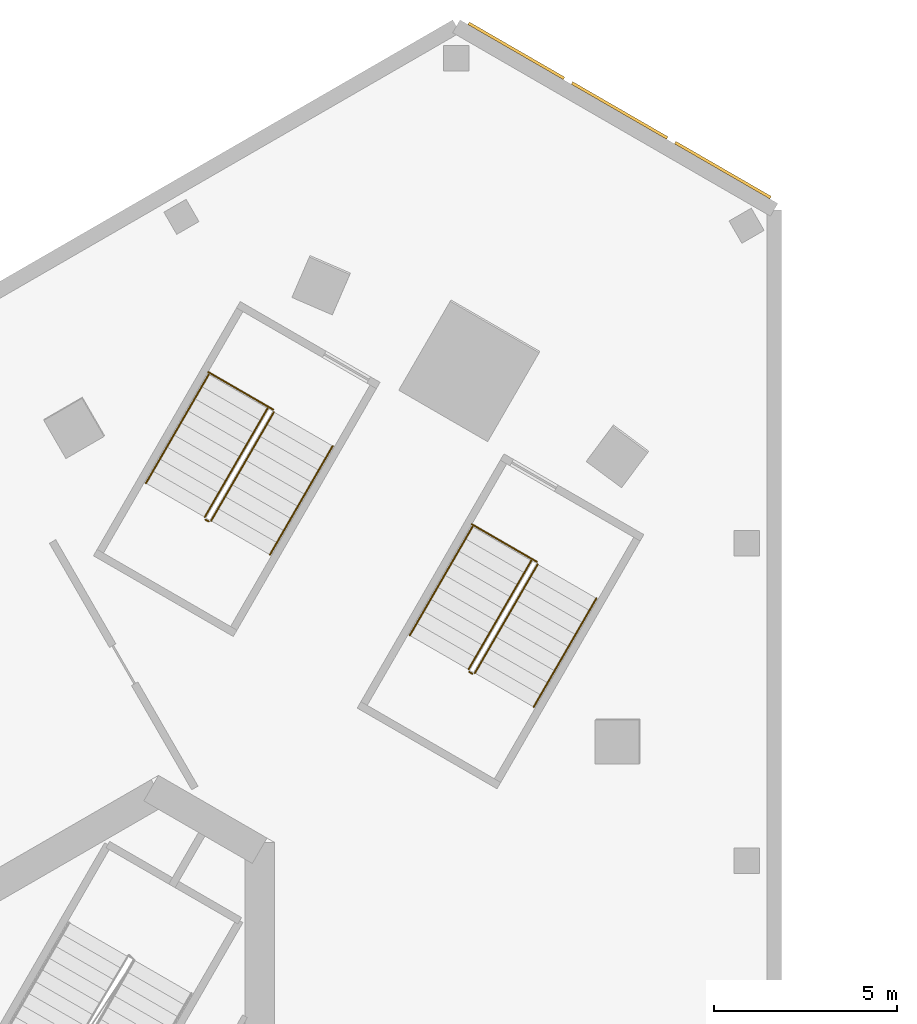
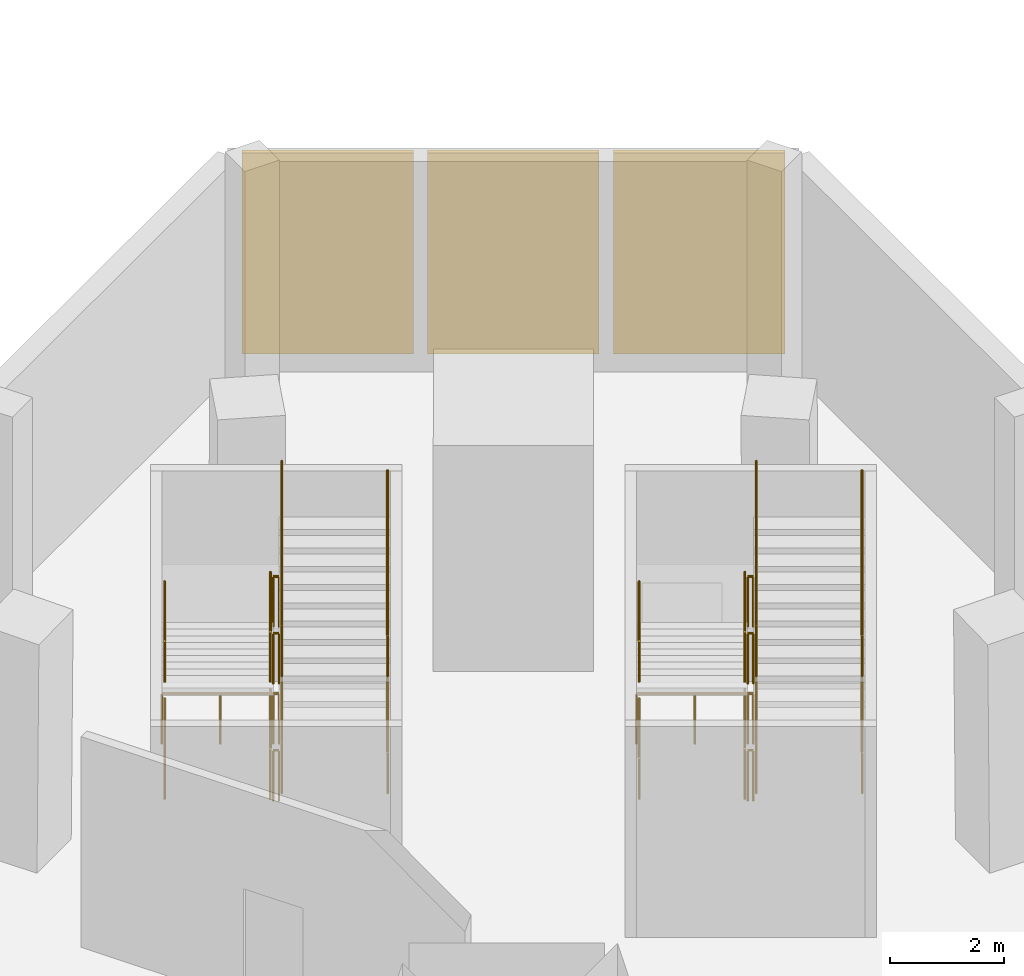
# One storey, part 27 of 36: 26 railings, 3 coverings.
"""IFC4 building model written with IfcOpenShell, lengths in metres."""

import ifcopenshell
import ifcopenshell.guid

model = None  # the IFC model being written
_history = None  # IfcOwnerHistory: only IFC2X3 demands one
_inside = {}  # id of a spatial element -> (the spatial element, [elements in it])
_under = {}  # id of a project, library or spatial element -> (it, [spatial elements below it])
_declared = {}  # id of a project -> (the project, [libraries it declares])
_typed = {}  # id of a type object -> (the type object, [elements of that type])
_made_of = {}  # id of a material, layer set ... -> (it, [elements and type objects made of it])


def new_model(schema):
    """Start an empty IFC model of exactly this schema.

    Asked for "IFC4X3", IfcOpenShell would pick the latest addendum, in which some entities
    have other attributes; the version numbers below select the first issue.
    IFC2X3 requires an IfcOwnerHistory on every rooted entity: one is made here for all.
    """
    global model, _history
    if schema == "IFC4X3":
        model = ifcopenshell.file(schema_version=(4, 3, 0, 0))
    else:
        model = ifcopenshell.file(schema=schema)
    _inside.clear()
    _under.clear()
    _declared.clear()
    _typed.clear()
    _made_of.clear()
    _history = None
    if model.schema == "IFC2X3":
        org = make("IfcOrganization", Name="unknown")
        user = make(
            "IfcPersonAndOrganization",
            ThePerson=make("IfcPerson", FamilyName="unknown"),
            TheOrganization=org,
        )
        app = make(
            "IfcApplication",
            ApplicationDeveloper=org,
            Version="unknown",
            ApplicationFullName="unknown",
            ApplicationIdentifier="unknown",
        )
        _history = make(
            "IfcOwnerHistory",
            OwningUser=user,
            OwningApplication=app,
            ChangeAction="ADDED",
            CreationDate=0,
        )
    return model


def make(cls, **values):
    """One entity of the class cls with the attributes given. An attribute that is None is left unset."""
    return model.create_entity(
        cls, **{name: value for name, value in values.items() if value is not None}
    )


def rooted(cls, **values):
    """An entity with a GlobalId (a new one), such as an element, a storey or a relation."""
    return make(cls, GlobalId=ifcopenshell.guid.new(), OwnerHistory=_history, **values)


def si_unit(unit_type, name, prefix=None):
    """IfcSIUnit, for example si_unit("LENGTHUNIT", "METRE", prefix="MILLI")."""
    return make("IfcSIUnit", UnitType=unit_type, Prefix=prefix, Name=name)


def assignment(units):
    """IfcUnitAssignment: the units of a project."""
    return None if units is None else make("IfcUnitAssignment", Units=units)


def point(xyz):
    """IfcCartesianPoint."""
    return None if xyz is None else make("IfcCartesianPoint", Coordinates=xyz)


def direction(xyz):
    """IfcDirection."""
    return None if xyz is None else make("IfcDirection", DirectionRatios=xyz)


def frame(location, z_axis=None, x_axis=None):
    """IfcAxis2Placement3D, a coordinate frame: its origin and axes. An axis left out is left unset."""
    return make(
        "IfcAxis2Placement3D",
        Location=point(location),
        Axis=direction(z_axis),
        RefDirection=direction(x_axis),
    )


def frame_2d(location, x_axis=None):
    """IfcAxis2Placement2D, a coordinate frame in the plane: its origin and x axis."""
    return make(
        "IfcAxis2Placement2D", Location=point(location), RefDirection=direction(x_axis)
    )


def origin():
    """The frame at (0, 0, 0) with its axes left unset."""
    return frame((0.0, 0.0, 0.0))


def origin_2d():
    """The frame at (0, 0) in the plane with its x axis left unset."""
    return frame_2d((0.0, 0.0))


def place(relative_to, where):
    """IfcLocalPlacement: puts the frame where relative to a parent placement (None: the world)."""
    return make(
        "IfcLocalPlacement", PlacementRelTo=relative_to, RelativePlacement=where
    )


def context(
    kind, dimensions, precision=None, world=None, true_north=None, identifier=None
):
    """IfcGeometricRepresentationContext, for example the 3D "Model" context."""
    return make(
        "IfcGeometricRepresentationContext",
        ContextIdentifier=identifier,
        ContextType=kind,
        CoordinateSpaceDimension=dimensions,
        Precision=precision,
        WorldCoordinateSystem=world,
        TrueNorth=true_north,
    )


def subcontext(parent, identifier, kind, view, scale=None):
    """IfcGeometricRepresentationSubContext, for example "Body" below "Model"."""
    return make(
        "IfcGeometricRepresentationSubContext",
        ContextIdentifier=identifier,
        ContextType=kind,
        ParentContext=parent,
        TargetScale=scale,
        TargetView=view,
    )


def project(units=None, contexts=None):
    """IfcProject with its units and contexts."""
    return rooted(
        "IfcProject",
        Name="project",
        RepresentationContexts=contexts,
        UnitsInContext=assignment(units),
    )


def spatial(cls, under=None, at=None, **own):
    """A site, building, storey or space (cls), placed at a placement, below another one or the project."""
    s = rooted(cls, ObjectPlacement=at, **own)
    if under is not None:
        _under.setdefault(under.id(), (under, []))[1].append(s)
    return s


def profile(cls, at=None, kind="AREA", **sizes):
    """A parametric profile (cls). Its sizes go by their IFC names, for example OverallWidth=200.0."""
    return make(cls, ProfileType=kind, Position=at, **sizes)


def rectangle(**sizes):
    """IfcRectangleProfileDef."""
    return profile("IfcRectangleProfileDef", **sizes)


def circle(**sizes):
    """IfcCircleProfileDef."""
    return profile("IfcCircleProfileDef", **sizes)


def extrude(swept, where, along, depth):
    """IfcExtrudedAreaSolid: the profile swept, set in the frame where, extruded along a direction by depth."""
    return make(
        "IfcExtrudedAreaSolid",
        SweptArea=swept,
        Position=where,
        ExtrudedDirection=direction(along),
        Depth=depth,
    )


def shape(context_of_items, identifier, shape_type, items):
    """IfcShapeRepresentation: the items that make up one representation, for example the "Body"."""
    return make(
        "IfcShapeRepresentation",
        ContextOfItems=context_of_items,
        RepresentationIdentifier=identifier,
        RepresentationType=shape_type,
        Items=items,
    )


def material(Name=None, Category=None):
    """IfcMaterial."""
    return make("IfcMaterial", Name=Name, Category=Category)


def layer(
    of_material, thickness, ventilated=None, Name=None, Category=None, Priority=None
):
    """IfcMaterialLayer: one layer of a wall or slab, of a material (None: an air gap)."""
    return make(
        "IfcMaterialLayer",
        Material=of_material,
        LayerThickness=thickness,
        IsVentilated=ventilated,
        Name=Name,
        Category=Category,
        Priority=Priority,
    )


def layer_set(layers, Name=None):
    """IfcMaterialLayerSet."""
    return make("IfcMaterialLayerSet", MaterialLayers=layers, LayerSetName=Name)


def made_of(thing, what):
    """Note that an element or type object is made of a material, layer set ...; save() writes the relation."""
    if what is not None:
        _made_of.setdefault(what.id(), (what, []))[1].append(thing)
    return thing


def type_object(cls, material=None, **own):
    """A type object (cls), such as IfcWallType, which elements share."""
    return made_of(rooted(cls, **own), material)


def element(
    cls,
    number,
    at=None,
    inside=None,
    cuts=None,
    type_object=None,
    material=None,
    context=None,
    identifier="Body",
    shape_type=None,
    held_by="IfcProductDefinitionShape",
    body=None,
    shapes=None,
    **own,
):
    """One element of the class cls, such as IfcWall. Its Tag is "e" and its number.

    at: its placement. inside: the storey or other place that contains it. cuts: it is an
    opening in that element (IfcRelVoidsElement). A single representation is given by context,
    identifier, shape_type and body (its items); several are given by shapes. held_by: the class
    of the entity that holds the representations. save() writes the other relations.
    """
    e = rooted(cls, Tag="e%d" % number, ObjectPlacement=at, **own)
    if body is not None:
        shapes = [shape(context, identifier, shape_type, body)]
    if shapes is not None:
        e.Representation = make(held_by, Representations=shapes)
    if inside is not None:
        _inside.setdefault(inside.id(), (inside, []))[1].append(e)
    if cuts is not None:
        rooted(
            "IfcRelVoidsElement", RelatingBuildingElement=cuts, RelatedOpeningElement=e
        )
    if type_object is not None:
        _typed.setdefault(type_object.id(), (type_object, []))[1].append(e)
    return made_of(e, material)


def aggregate(whole, parts):
    """IfcRelAggregates: a whole, such as a stair, and the parts it consists of."""
    return rooted("IfcRelAggregates", RelatingObject=whole, RelatedObjects=parts)


def save(model, path):
    """Write the relations noted so far, then the file.

    IfcRelAggregates (storeys below a building ...), IfcRelContainedInSpatialStructure (elements
    in a storey), IfcRelDefinesByType, IfcRelAssociatesMaterial and IfcRelDeclares: one each for
    every whole, place, type object, material and project.
    """
    for whole, parts in _under.values():
        aggregate(whole, parts)
    for where, things in _inside.values():
        rooted(
            "IfcRelContainedInSpatialStructure",
            RelatedElements=things,
            RelatingStructure=where,
        )
    for kind, things in _typed.values():
        rooted("IfcRelDefinesByType", RelatedObjects=things, RelatingType=kind)
    for what, things in _made_of.values():
        rooted("IfcRelAssociatesMaterial", RelatedObjects=things, RelatingMaterial=what)
    for by, libraries in _declared.values():
        rooted("IfcRelDeclares", RelatingContext=by, RelatedDefinitions=libraries)
    model.write(path)


model = new_model("IFC4")

# Units and contexts
model_context = context("Model", 3, precision=1e-05, world=origin(), true_north=direction((0.0, 1.0)))
body_context = subcontext(model_context, "Body", "Model", "MODEL_VIEW")
ifc_project = project(units=[si_unit("LENGTHUNIT", "METRE"), si_unit("AREAUNIT", "SQUARE_METRE"), si_unit("VOLUMEUNIT", "CUBIC_METRE"), si_unit("PLANEANGLEUNIT", "RADIAN"), si_unit("MASSUNIT", "GRAM", prefix="KILO")], contexts=[model_context])

# Site, building, storey
site_placement = place(None, origin())
site = spatial("IfcSite", under=ifc_project, at=site_placement, CompositionType="ELEMENT")
building_placement = place(site_placement, origin())
building = spatial("IfcBuilding", under=site, at=building_placement, Name="Jabali Bay Hotel Tower and Convention Centre", CompositionType="ELEMENT")
storey_placement = place(building_placement, frame((0.0, 0.0, 20.39990234375)))
storey = spatial("IfcBuildingStorey", under=building, at=storey_placement, Name="L03", CompositionType="ELEMENT", Elevation=20.39990234375)

# Coverings
ifc_material_1 = material(Name="Precast concrete C40/50", Category="concrete")
ifc_layer = layer(ifc_material_1, 0.080078125)
ifc_layer_set = layer_set([ifc_layer], Name="Precast concrete C40/50")
covering_type = type_object("IfcCoveringType", Name="Relief panel 3000 x 4300", PredefinedType="CLADDING", material=ifc_layer_set)
for number, where, z_axis, x_axis, name in (
    (1, (96.475341796875, 123.6962890625, 0.10009765625), (0.0, 0.0, 1.0), (0.866025402842, -0.500000001632, 0.0), "Relief panel L03"),
    (2, (99.289794921875, 122.0712890625, 0.10009765625), (0.0, 0.0, 1.0), (0.866025402842, -0.500000001632, 0.0), "Relief panel L03"),
    (3, (102.1044921875, 120.4462890625, 0.10009765625), (0.0, 0.0, 1.0), (0.866025402842, -0.500000001632, 0.0), "Relief panel L03"),
):
    element("IfcCovering", number, at=place(storey_placement, frame(where, z_axis=z_axis, x_axis=x_axis)), inside=storey, type_object=covering_type, Name=name, PredefinedType="CLADDING", context=body_context, shape_type="SweptSolid", body=[
        extrude(rectangle(XDim=3.0, YDim=0.080078125, at=origin_2d()), origin(), (0.0, 0.0, 1.0), 4.300048828125),
    ])

# Railings
ifc_material_2 = material(Name="Steel Q355B", Category="steel")
railing_type_1 = type_object("IfcRailingType", Name="Stair guard 1100", PredefinedType="GUARDRAIL", material=ifc_material_2)
railing_1_placement = place(storey_placement, frame((88.073974609375, 114.94482421875, 0.0)))
element("IfcRailing", 4, at=railing_1_placement, inside=storey, type_object=railing_type_1, Name="L03 PS3 top well guard 1", PredefinedType="GUARDRAIL", context=body_context, shape_type="SweptSolid", body=[
    extrude(circle(Radius=0.02392578125, at=origin_2d()), frame((0.0, 0.0, 1.076171875), z_axis=(0.865999163574, -0.500045446624, 0.0), x_axis=(0.500045446624, 0.865999163574, 0.0)), (0.0, 0.0, 1.0), 2.050048828125),
    extrude(circle(Radius=0.02099609375, at=origin_2d()), origin(), (0.0, 0.0, 1.0), 1.052001953125),
    extrude(circle(Radius=0.02099609375, at=origin_2d()), frame((0.8876953125, -0.5126953125, 0.0)), (0.0, 0.0, 1.0), 1.052001953125),
    extrude(circle(Radius=0.02099609375, at=origin_2d()), frame((1.775390625, -1.025146484375, 0.0)), (0.0, 0.0, 1.0), 1.052001953125),
])
railing_2_placement = place(storey_placement, frame((89.6943359375, 113.951416015625, 0.125)))
element("IfcRailing", 5, at=railing_2_placement, inside=storey, type_object=railing_type_1, Name="L03 PS3 stair guard 1", PredefinedType="GUARDRAIL", context=body_context, shape_type="SweptSolid", body=[
    extrude(circle(Radius=0.02392578125, at=origin_2d()), frame((0.0, 0.0, 1.076171875), z_axis=(-0.474969356874, -0.822651808715, 0.312486978366), x_axis=(0.866020337685, -0.500008774639, 0.0)), (0.0, 0.0, 1.0), 3.60009765625),
    extrude(circle(Radius=0.02099609375, at=origin_2d()), origin(), (0.0, 0.0, 1.0), 1.052001953125),
    extrude(circle(Radius=0.02099609375, at=origin_2d()), frame((-0.427490234375, -0.740478515625, 0.28125)), (0.0, 0.0, 1.0), 1.052001953125),
    extrude(circle(Radius=0.02099609375, at=origin_2d()), frame((-0.85498046875, -1.48095703125, 0.5625)), (0.0, 0.0, 1.0), 1.052001953125),
    extrude(circle(Radius=0.02099609375, at=origin_2d()), frame((-1.282470703125, -2.22119140625, 0.84375)), (0.0, 0.0, 1.0), 1.052001953125),
    extrude(circle(Radius=0.02099609375, at=origin_2d()), frame((-1.7099609375, -2.961669921875, 1.125)), (0.0, 0.0, 1.0), 1.052001953125),
])
railing_3_placement = place(storey_placement, frame((88.002685546875, 110.92138671875, 1.25)))
element("IfcRailing", 6, at=railing_3_placement, inside=storey, type_object=railing_type_1, Name="L03 PS3 stair guard 2", PredefinedType="GUARDRAIL", context=body_context, shape_type="SweptSolid", body=[
    extrude(circle(Radius=0.02392578125, at=origin_2d()), frame((0.0, 0.0, 1.076171875), z_axis=(0.865982457891, -0.500074377092, 0.0), x_axis=(0.500074377092, 0.865982457891, 0.0)), (0.0, 0.0, 1.0), 0.10009765625),
    extrude(circle(Radius=0.02099609375, at=origin_2d()), origin(), (0.0, 0.0, 1.0), 1.052001953125),
    extrude(circle(Radius=0.02099609375, at=origin_2d()), frame((0.086669921875, -0.050048828125, 0.0)), (0.0, 0.0, 1.0), 1.052001953125),
])
railing_4_placement = place(storey_placement, frame((88.15771484375, 110.8896484375, 1.375)))
element("IfcRailing", 7, at=railing_4_placement, inside=storey, type_object=railing_type_1, Name="L03 PS3 stair guard 3", PredefinedType="GUARDRAIL", context=body_context, shape_type="SweptSolid", body=[
    extrude(circle(Radius=0.02392578125, at=origin_2d()), frame((0.0, 0.0, 1.076171875), z_axis=(0.474969356874, 0.822651808715, 0.312486978366), x_axis=(-0.866020337685, 0.500008774639, 0.0)), (0.0, 0.0, 1.0), 3.60009765625),
    extrude(circle(Radius=0.02099609375, at=origin_2d()), origin(), (0.0, 0.0, 1.0), 1.052001953125),
    extrude(circle(Radius=0.02099609375, at=origin_2d()), frame((0.427490234375, 0.740478515625, 0.28125)), (0.0, 0.0, 1.0), 1.052001953125),
    extrude(circle(Radius=0.02099609375, at=origin_2d()), frame((0.85498046875, 1.48095703125, 0.5625)), (0.0, 0.0, 1.0), 1.052001953125),
    extrude(circle(Radius=0.02099609375, at=origin_2d()), frame((1.282470703125, 2.22119140625, 0.84375)), (0.0, 0.0, 1.0), 1.052001953125),
    extrude(circle(Radius=0.02099609375, at=origin_2d()), frame((1.7099609375, 2.961669921875, 1.125)), (0.0, 0.0, 1.0), 1.052001953125),
])
railing_5_placement = place(storey_placement, frame((89.7626953125, 113.9697265625, 2.5)))
element("IfcRailing", 8, at=railing_5_placement, inside=storey, type_object=railing_type_1, Name="L03 PS3 stair guard 4", PredefinedType="GUARDRAIL", context=body_context, shape_type="SweptSolid", body=[
    extrude(circle(Radius=0.02392578125, at=origin_2d()), frame((0.0, 0.0, 1.076171875), z_axis=(0.865982457891, -0.500074377092, 0.0), x_axis=(0.500074377092, 0.865982457891, 0.0)), (0.0, 0.0, 1.0), 0.10009765625),
    extrude(circle(Radius=0.02099609375, at=origin_2d()), origin(), (0.0, 0.0, 1.0), 1.052001953125),
    extrude(circle(Radius=0.02099609375, at=origin_2d()), frame((0.086669921875, -0.050048828125, 0.0)), (0.0, 0.0, 1.0), 1.052001953125),
])
railing_6_placement = place(storey_placement, frame((89.6943359375, 113.951416015625, 2.625)))
element("IfcRailing", 9, at=railing_6_placement, inside=storey, type_object=railing_type_1, Name="L03 PS3 stair guard 5", PredefinedType="GUARDRAIL", context=body_context, shape_type="SweptSolid", body=[
    extrude(circle(Radius=0.02392578125, at=origin_2d()), frame((0.0, 0.0, 1.076171875), z_axis=(-0.474969356874, -0.822651808715, 0.312486978366), x_axis=(0.866020337685, -0.500008774639, 0.0)), (0.0, 0.0, 1.0), 3.60009765625),
    extrude(circle(Radius=0.02099609375, at=origin_2d()), origin(), (0.0, 0.0, 1.0), 1.052001953125),
    extrude(circle(Radius=0.02099609375, at=origin_2d()), frame((-0.427490234375, -0.740478515625, 0.28125)), (0.0, 0.0, 1.0), 1.052001953125),
    extrude(circle(Radius=0.02099609375, at=origin_2d()), frame((-0.85498046875, -1.48095703125, 0.5625)), (0.0, 0.0, 1.0), 1.052001953125),
    extrude(circle(Radius=0.02099609375, at=origin_2d()), frame((-1.282470703125, -2.22119140625, 0.84375)), (0.0, 0.0, 1.0), 1.052001953125),
    extrude(circle(Radius=0.02099609375, at=origin_2d()), frame((-1.7099609375, -2.961669921875, 1.125)), (0.0, 0.0, 1.0), 1.052001953125),
])
railing_7_placement = place(storey_placement, frame((88.002685546875, 110.92138671875, 3.75)))
element("IfcRailing", 10, at=railing_7_placement, inside=storey, type_object=railing_type_1, Name="L03 PS3 stair guard 6", PredefinedType="GUARDRAIL", context=body_context, shape_type="SweptSolid", body=[
    extrude(circle(Radius=0.02392578125, at=origin_2d()), frame((0.0, 0.0, 1.076171875), z_axis=(0.865982457891, -0.500074377092, 0.0), x_axis=(0.500074377092, 0.865982457891, 0.0)), (0.0, 0.0, 1.0), 0.10009765625),
    extrude(circle(Radius=0.02099609375, at=origin_2d()), origin(), (0.0, 0.0, 1.0), 1.052001953125),
    extrude(circle(Radius=0.02099609375, at=origin_2d()), frame((0.086669921875, -0.050048828125, 0.0)), (0.0, 0.0, 1.0), 1.052001953125),
])
railing_8_placement = place(storey_placement, frame((88.15771484375, 110.8896484375, 3.875)))
element("IfcRailing", 11, at=railing_8_placement, inside=storey, type_object=railing_type_1, Name="L03 PS3 stair guard 7", PredefinedType="GUARDRAIL", context=body_context, shape_type="SweptSolid", body=[
    extrude(circle(Radius=0.02392578125, at=origin_2d()), frame((0.0, 0.0, 1.076171875), z_axis=(0.474969356874, 0.822651808715, 0.312486978366), x_axis=(-0.866020337685, 0.500008774639, 0.0)), (0.0, 0.0, 1.0), 3.60009765625),
    extrude(circle(Radius=0.02099609375, at=origin_2d()), origin(), (0.0, 0.0, 1.0), 1.052001953125),
    extrude(circle(Radius=0.02099609375, at=origin_2d()), frame((0.427490234375, 0.740478515625, 0.28125)), (0.0, 0.0, 1.0), 1.052001953125),
    extrude(circle(Radius=0.02099609375, at=origin_2d()), frame((0.85498046875, 1.48095703125, 0.5625)), (0.0, 0.0, 1.0), 1.052001953125),
    extrude(circle(Radius=0.02099609375, at=origin_2d()), frame((1.282470703125, 2.22119140625, 0.84375)), (0.0, 0.0, 1.0), 1.052001953125),
    extrude(circle(Radius=0.02099609375, at=origin_2d()), frame((1.7099609375, 2.961669921875, 1.125)), (0.0, 0.0, 1.0), 1.052001953125),
])
railing_9_placement = place(storey_placement, frame((89.7626953125, 113.9697265625, 0.0)))
element("IfcRailing", 12, at=railing_9_placement, inside=storey, type_object=railing_type_1, Name="L03 PS3 stair guard 8", PredefinedType="GUARDRAIL", context=body_context, shape_type="SweptSolid", body=[
    extrude(circle(Radius=0.02392578125, at=origin_2d()), frame((0.0, 0.0, 1.076171875), z_axis=(0.865982457891, -0.500074377092, 0.0), x_axis=(0.500074377092, 0.865982457891, 0.0)), (0.0, 0.0, 1.0), 0.10009765625),
    extrude(circle(Radius=0.02099609375, at=origin_2d()), origin(), (0.0, 0.0, 1.0), 1.052001953125),
    extrude(circle(Radius=0.02099609375, at=origin_2d()), frame((0.086669921875, -0.050048828125, 0.0)), (0.0, 0.0, 1.0), 1.052001953125),
])
railing_10_placement = place(storey_placement, frame((95.261962890625, 110.794677734375, 0.0)))
element("IfcRailing", 13, at=railing_10_placement, inside=storey, type_object=railing_type_1, Name="L03 PS4 top well guard 1", PredefinedType="GUARDRAIL", context=body_context, shape_type="SweptSolid", body=[
    extrude(circle(Radius=0.02392578125, at=origin_2d()), frame((0.0, 0.0, 1.076171875), z_axis=(0.866050731258, -0.499956128963, 0.0), x_axis=(0.499956128963, 0.866050731258, 0.0)), (0.0, 0.0, 1.0), 2.050048828125),
    extrude(circle(Radius=0.02099609375, at=origin_2d()), origin(), (0.0, 0.0, 1.0), 1.052001953125),
    extrude(circle(Radius=0.02099609375, at=origin_2d()), frame((0.8876953125, -0.512451171875, 0.0)), (0.0, 0.0, 1.0), 1.052001953125),
    extrude(circle(Radius=0.02099609375, at=origin_2d()), frame((1.775390625, -1.02490234375, 0.0)), (0.0, 0.0, 1.0), 1.052001953125),
])
railing_11_placement = place(storey_placement, frame((96.88232421875, 109.801513671875, 0.125)))
element("IfcRailing", 14, at=railing_11_placement, inside=storey, type_object=railing_type_1, Name="L03 PS4 stair guard 1", PredefinedType="GUARDRAIL", context=body_context, shape_type="SweptSolid", body=[
    extrude(circle(Radius=0.02392578125, at=origin_2d()), frame((0.0, 0.0, 1.076171875), z_axis=(-0.474942860731, -0.822673727354, 0.312469546295), x_axis=(0.866038183914, -0.499977863513, 0.0)), (0.0, 0.0, 1.0), 3.600341796875),
    extrude(circle(Radius=0.02099609375, at=origin_2d()), origin(), (0.0, 0.0, 1.0), 1.052001953125),
    extrude(circle(Radius=0.02099609375, at=origin_2d()), frame((-0.427490234375, -0.740478515625, 0.28125)), (0.0, 0.0, 1.0), 1.052001953125),
    extrude(circle(Radius=0.02099609375, at=origin_2d()), frame((-0.85498046875, -1.48095703125, 0.5625)), (0.0, 0.0, 1.0), 1.052001953125),
    extrude(circle(Radius=0.02099609375, at=origin_2d()), frame((-1.282470703125, -2.221435546875, 0.84375)), (0.0, 0.0, 1.0), 1.052001953125),
    extrude(circle(Radius=0.02099609375, at=origin_2d()), frame((-1.7099609375, -2.9619140625, 1.125)), (0.0, 0.0, 1.0), 1.052001953125),
])
railing_12_placement = place(storey_placement, frame((95.190673828125, 106.771240234375, 1.25)))
element("IfcRailing", 15, at=railing_12_placement, inside=storey, type_object=railing_type_1, Name="L03 PS4 stair guard 2", PredefinedType="GUARDRAIL", context=body_context, shape_type="SweptSolid", body=[
    extrude(circle(Radius=0.02392578125, at=origin_2d()), frame((0.0, 0.0, 1.076171875), z_axis=(0.867038199201, -0.4982416694, 0.0), x_axis=(0.4982416694, 0.867038199201, 0.0)), (0.0, 0.0, 1.0), 0.099853515625),
    extrude(circle(Radius=0.02099609375, at=origin_2d()), origin(), (0.0, 0.0, 1.0), 1.052001953125),
    extrude(circle(Radius=0.02099609375, at=origin_2d()), frame((0.086669921875, -0.0498046875, 0.0)), (0.0, 0.0, 1.0), 1.052001953125),
])
railing_13_placement = place(storey_placement, frame((95.345703125, 106.73974609375, 1.375)))
element("IfcRailing", 16, at=railing_13_placement, inside=storey, type_object=railing_type_1, Name="L03 PS4 stair guard 3", PredefinedType="GUARDRAIL", context=body_context, shape_type="SweptSolid", body=[
    extrude(circle(Radius=0.02392578125, at=origin_2d()), frame((0.0, 0.0, 1.076171875), z_axis=(0.474969356874, 0.822651808715, 0.312486978366), x_axis=(-0.866020337685, 0.500008774639, 0.0)), (0.0, 0.0, 1.0), 3.60009765625),
    extrude(circle(Radius=0.02099609375, at=origin_2d()), origin(), (0.0, 0.0, 1.0), 1.052001953125),
    extrude(circle(Radius=0.02099609375, at=origin_2d()), frame((0.427490234375, 0.740478515625, 0.28125)), (0.0, 0.0, 1.0), 1.052001953125),
    extrude(circle(Radius=0.02099609375, at=origin_2d()), frame((0.85498046875, 1.48095703125, 0.5625)), (0.0, 0.0, 1.0), 1.052001953125),
    extrude(circle(Radius=0.02099609375, at=origin_2d()), frame((1.282470703125, 2.22119140625, 0.84375)), (0.0, 0.0, 1.0), 1.052001953125),
    extrude(circle(Radius=0.02099609375, at=origin_2d()), frame((1.7099609375, 2.961669921875, 1.125)), (0.0, 0.0, 1.0), 1.052001953125),
])
railing_14_placement = place(storey_placement, frame((96.95068359375, 109.81982421875, 2.5)))
element("IfcRailing", 17, at=railing_14_placement, inside=storey, type_object=railing_type_1, Name="L03 PS4 stair guard 4", PredefinedType="GUARDRAIL", context=body_context, shape_type="SweptSolid", body=[
    extrude(circle(Radius=0.02392578125, at=origin_2d()), frame((0.0, 0.0, 1.076171875), z_axis=(0.865982457891, -0.500074377092, 0.0), x_axis=(0.500074377092, 0.865982457891, 0.0)), (0.0, 0.0, 1.0), 0.10009765625),
    extrude(circle(Radius=0.02099609375, at=origin_2d()), origin(), (0.0, 0.0, 1.0), 1.052001953125),
    extrude(circle(Radius=0.02099609375, at=origin_2d()), frame((0.086669921875, -0.050048828125, 0.0)), (0.0, 0.0, 1.0), 1.052001953125),
])
railing_15_placement = place(storey_placement, frame((96.88232421875, 109.801513671875, 2.625)))
element("IfcRailing", 18, at=railing_15_placement, inside=storey, type_object=railing_type_1, Name="L03 PS4 stair guard 5", PredefinedType="GUARDRAIL", context=body_context, shape_type="SweptSolid", body=[
    extrude(circle(Radius=0.02392578125, at=origin_2d()), frame((0.0, 0.0, 1.076171875), z_axis=(-0.474942860731, -0.822673727354, 0.312469546295), x_axis=(0.866038183914, -0.499977863513, 0.0)), (0.0, 0.0, 1.0), 3.600341796875),
    extrude(circle(Radius=0.02099609375, at=origin_2d()), origin(), (0.0, 0.0, 1.0), 1.052001953125),
    extrude(circle(Radius=0.02099609375, at=origin_2d()), frame((-0.427490234375, -0.740478515625, 0.28125)), (0.0, 0.0, 1.0), 1.052001953125),
    extrude(circle(Radius=0.02099609375, at=origin_2d()), frame((-0.85498046875, -1.48095703125, 0.5625)), (0.0, 0.0, 1.0), 1.052001953125),
    extrude(circle(Radius=0.02099609375, at=origin_2d()), frame((-1.282470703125, -2.221435546875, 0.84375)), (0.0, 0.0, 1.0), 1.052001953125),
    extrude(circle(Radius=0.02099609375, at=origin_2d()), frame((-1.7099609375, -2.9619140625, 1.125)), (0.0, 0.0, 1.0), 1.052001953125),
])
railing_16_placement = place(storey_placement, frame((95.190673828125, 106.771240234375, 3.75)))
element("IfcRailing", 19, at=railing_16_placement, inside=storey, type_object=railing_type_1, Name="L03 PS4 stair guard 6", PredefinedType="GUARDRAIL", context=body_context, shape_type="SweptSolid", body=[
    extrude(circle(Radius=0.02392578125, at=origin_2d()), frame((0.0, 0.0, 1.076171875), z_axis=(0.867038199201, -0.4982416694, 0.0), x_axis=(0.4982416694, 0.867038199201, 0.0)), (0.0, 0.0, 1.0), 0.099853515625),
    extrude(circle(Radius=0.02099609375, at=origin_2d()), origin(), (0.0, 0.0, 1.0), 1.052001953125),
    extrude(circle(Radius=0.02099609375, at=origin_2d()), frame((0.086669921875, -0.0498046875, 0.0)), (0.0, 0.0, 1.0), 1.052001953125),
])
railing_17_placement = place(storey_placement, frame((95.345703125, 106.73974609375, 3.875)))
element("IfcRailing", 20, at=railing_17_placement, inside=storey, type_object=railing_type_1, Name="L03 PS4 stair guard 7", PredefinedType="GUARDRAIL", context=body_context, shape_type="SweptSolid", body=[
    extrude(circle(Radius=0.02392578125, at=origin_2d()), frame((0.0, 0.0, 1.076171875), z_axis=(0.474969356874, 0.822651808715, 0.312486978366), x_axis=(-0.866020337685, 0.500008774639, 0.0)), (0.0, 0.0, 1.0), 3.60009765625),
    extrude(circle(Radius=0.02099609375, at=origin_2d()), origin(), (0.0, 0.0, 1.0), 1.052001953125),
    extrude(circle(Radius=0.02099609375, at=origin_2d()), frame((0.427490234375, 0.740478515625, 0.28125)), (0.0, 0.0, 1.0), 1.052001953125),
    extrude(circle(Radius=0.02099609375, at=origin_2d()), frame((0.85498046875, 1.48095703125, 0.5625)), (0.0, 0.0, 1.0), 1.052001953125),
    extrude(circle(Radius=0.02099609375, at=origin_2d()), frame((1.282470703125, 2.22119140625, 0.84375)), (0.0, 0.0, 1.0), 1.052001953125),
    extrude(circle(Radius=0.02099609375, at=origin_2d()), frame((1.7099609375, 2.961669921875, 1.125)), (0.0, 0.0, 1.0), 1.052001953125),
])
railing_18_placement = place(storey_placement, frame((96.95068359375, 109.81982421875, 0.0)))
element("IfcRailing", 21, at=railing_18_placement, inside=storey, type_object=railing_type_1, Name="L03 PS4 stair guard 8", PredefinedType="GUARDRAIL", context=body_context, shape_type="SweptSolid", body=[
    extrude(circle(Radius=0.02392578125, at=origin_2d()), frame((0.0, 0.0, 1.076171875), z_axis=(0.865982457891, -0.500074377092, 0.0), x_axis=(0.500074377092, 0.865982457891, 0.0)), (0.0, 0.0, 1.0), 0.10009765625),
    extrude(circle(Radius=0.02099609375, at=origin_2d()), origin(), (0.0, 0.0, 1.0), 1.052001953125),
    extrude(circle(Radius=0.02099609375, at=origin_2d()), frame((0.086669921875, -0.050048828125, 0.0)), (0.0, 0.0, 1.0), 1.052001953125),
])
railing_type_2 = type_object("IfcRailingType", Name="Stair handrail 900", PredefinedType="HANDRAIL", material=ifc_material_2)
railing_19_placement = place(storey_placement, frame((88.09228515625, 114.87646484375, 0.125)))
element("IfcRailing", 22, at=railing_19_placement, inside=storey, type_object=railing_type_2, Name="L03 PS3 stair handrail 1", PredefinedType="HANDRAIL", context=body_context, shape_type="SweptSolid", body=[
    extrude(circle(Radius=0.02392578125, at=origin_2d()), frame((0.0, 0.0, 0.8759765625), z_axis=(-0.474942860731, -0.822673727354, 0.312469546295), x_axis=(0.866038183914, -0.499977863513, 0.0)), (0.0, 0.0, 1.0), 3.600341796875),
    extrude(circle(Radius=0.02099609375, at=origin_2d()), origin(), (0.0, 0.0, 1.0), 0.851806640625),
    extrude(circle(Radius=0.02099609375, at=origin_2d()), frame((-0.427490234375, -0.740478515625, 0.28125)), (0.0, 0.0, 1.0), 0.851806640625),
    extrude(circle(Radius=0.02099609375, at=origin_2d()), frame((-0.85498046875, -1.48095703125, 0.5625)), (0.0, 0.0, 1.0), 0.851806640625),
    extrude(circle(Radius=0.02099609375, at=origin_2d()), frame((-1.282470703125, -2.221435546875, 0.84375)), (0.0, 0.0, 1.0), 0.851806640625),
    extrude(circle(Radius=0.02099609375, at=origin_2d()), frame((-1.7099609375, -2.9619140625, 1.125)), (0.0, 0.0, 1.0), 0.851806640625),
])
railing_20_placement = place(storey_placement, frame((89.759765625, 109.964599609375, 1.375)))
element("IfcRailing", 23, at=railing_20_placement, inside=storey, type_object=railing_type_2, Name="L03 PS3 stair handrail 2", PredefinedType="HANDRAIL", context=body_context, shape_type="SweptSolid", body=[
    extrude(circle(Radius=0.02392578125, at=origin_2d()), frame((0.0, 0.0, 0.8759765625), z_axis=(0.474942860731, 0.822673727354, 0.312469546295), x_axis=(-0.866038183914, 0.499977863513, 0.0)), (0.0, 0.0, 1.0), 3.600341796875),
    extrude(circle(Radius=0.02099609375, at=origin_2d()), origin(), (0.0, 0.0, 1.0), 0.851806640625),
    extrude(circle(Radius=0.02099609375, at=origin_2d()), frame((0.427490234375, 0.740478515625, 0.28125)), (0.0, 0.0, 1.0), 0.851806640625),
    extrude(circle(Radius=0.02099609375, at=origin_2d()), frame((0.85498046875, 1.48095703125, 0.5625)), (0.0, 0.0, 1.0), 0.851806640625),
    extrude(circle(Radius=0.02099609375, at=origin_2d()), frame((1.282470703125, 2.221435546875, 0.84375)), (0.0, 0.0, 1.0), 0.851806640625),
    extrude(circle(Radius=0.02099609375, at=origin_2d()), frame((1.7099609375, 2.9619140625, 1.125)), (0.0, 0.0, 1.0), 0.851806640625),
])
railing_21_placement = place(storey_placement, frame((88.09228515625, 114.87646484375, 2.625)))
element("IfcRailing", 24, at=railing_21_placement, inside=storey, type_object=railing_type_2, Name="L03 PS3 stair handrail 3", PredefinedType="HANDRAIL", context=body_context, shape_type="SweptSolid", body=[
    extrude(circle(Radius=0.02392578125, at=origin_2d()), frame((0.0, 0.0, 0.8759765625), z_axis=(-0.474942860731, -0.822673727354, 0.312469546295), x_axis=(0.866038183914, -0.499977863513, 0.0)), (0.0, 0.0, 1.0), 3.600341796875),
    extrude(circle(Radius=0.02099609375, at=origin_2d()), origin(), (0.0, 0.0, 1.0), 0.851806640625),
    extrude(circle(Radius=0.02099609375, at=origin_2d()), frame((-0.427490234375, -0.740478515625, 0.28125)), (0.0, 0.0, 1.0), 0.851806640625),
    extrude(circle(Radius=0.02099609375, at=origin_2d()), frame((-0.85498046875, -1.48095703125, 0.5625)), (0.0, 0.0, 1.0), 0.851806640625),
    extrude(circle(Radius=0.02099609375, at=origin_2d()), frame((-1.282470703125, -2.221435546875, 0.84375)), (0.0, 0.0, 1.0), 0.851806640625),
    extrude(circle(Radius=0.02099609375, at=origin_2d()), frame((-1.7099609375, -2.9619140625, 1.125)), (0.0, 0.0, 1.0), 0.851806640625),
])
railing_22_placement = place(storey_placement, frame((89.759765625, 109.964599609375, 3.875)))
element("IfcRailing", 25, at=railing_22_placement, inside=storey, type_object=railing_type_2, Name="L03 PS3 stair handrail 4", PredefinedType="HANDRAIL", context=body_context, shape_type="SweptSolid", body=[
    extrude(circle(Radius=0.02392578125, at=origin_2d()), frame((0.0, 0.0, 0.8759765625), z_axis=(0.474942860731, 0.822673727354, 0.312469546295), x_axis=(-0.866038183914, 0.499977863513, 0.0)), (0.0, 0.0, 1.0), 3.600341796875),
    extrude(circle(Radius=0.02099609375, at=origin_2d()), origin(), (0.0, 0.0, 1.0), 0.851806640625),
    extrude(circle(Radius=0.02099609375, at=origin_2d()), frame((0.427490234375, 0.740478515625, 0.28125)), (0.0, 0.0, 1.0), 0.851806640625),
    extrude(circle(Radius=0.02099609375, at=origin_2d()), frame((0.85498046875, 1.48095703125, 0.5625)), (0.0, 0.0, 1.0), 0.851806640625),
    extrude(circle(Radius=0.02099609375, at=origin_2d()), frame((1.282470703125, 2.221435546875, 0.84375)), (0.0, 0.0, 1.0), 0.851806640625),
    extrude(circle(Radius=0.02099609375, at=origin_2d()), frame((1.7099609375, 2.9619140625, 1.125)), (0.0, 0.0, 1.0), 0.851806640625),
])
railing_23_placement = place(storey_placement, frame((95.2802734375, 110.726318359375, 0.125)))
element("IfcRailing", 26, at=railing_23_placement, inside=storey, type_object=railing_type_2, Name="L03 PS4 stair handrail 1", PredefinedType="HANDRAIL", context=body_context, shape_type="SweptSolid", body=[
    extrude(circle(Radius=0.02392578125, at=origin_2d()), frame((0.0, 0.0, 0.8759765625), z_axis=(-0.474969356874, -0.822651808715, 0.312486978366), x_axis=(0.866020337685, -0.500008774639, 0.0)), (0.0, 0.0, 1.0), 3.60009765625),
    extrude(circle(Radius=0.02099609375, at=origin_2d()), origin(), (0.0, 0.0, 1.0), 0.851806640625),
    extrude(circle(Radius=0.02099609375, at=origin_2d()), frame((-0.427490234375, -0.740478515625, 0.28125)), (0.0, 0.0, 1.0), 0.851806640625),
    extrude(circle(Radius=0.02099609375, at=origin_2d()), frame((-0.85498046875, -1.48095703125, 0.5625)), (0.0, 0.0, 1.0), 0.851806640625),
    extrude(circle(Radius=0.02099609375, at=origin_2d()), frame((-1.282470703125, -2.22119140625, 0.84375)), (0.0, 0.0, 1.0), 0.851806640625),
    extrude(circle(Radius=0.02099609375, at=origin_2d()), frame((-1.7099609375, -2.961669921875, 1.125)), (0.0, 0.0, 1.0), 0.851806640625),
])
railing_24_placement = place(storey_placement, frame((96.94775390625, 105.814697265625, 1.375)))
element("IfcRailing", 27, at=railing_24_placement, inside=storey, type_object=railing_type_2, Name="L03 PS4 stair handrail 2", PredefinedType="HANDRAIL", context=body_context, shape_type="SweptSolid", body=[
    extrude(circle(Radius=0.02392578125, at=origin_2d()), frame((0.0, 0.0, 0.8759765625), z_axis=(0.474969356874, 0.822651808715, 0.312486978366), x_axis=(-0.866020337685, 0.500008774639, 0.0)), (0.0, 0.0, 1.0), 3.60009765625),
    extrude(circle(Radius=0.02099609375, at=origin_2d()), origin(), (0.0, 0.0, 1.0), 0.851806640625),
    extrude(circle(Radius=0.02099609375, at=origin_2d()), frame((0.427490234375, 0.740478515625, 0.28125)), (0.0, 0.0, 1.0), 0.851806640625),
    extrude(circle(Radius=0.02099609375, at=origin_2d()), frame((0.85498046875, 1.48095703125, 0.5625)), (0.0, 0.0, 1.0), 0.851806640625),
    extrude(circle(Radius=0.02099609375, at=origin_2d()), frame((1.282470703125, 2.22119140625, 0.84375)), (0.0, 0.0, 1.0), 0.851806640625),
    extrude(circle(Radius=0.02099609375, at=origin_2d()), frame((1.7099609375, 2.961669921875, 1.125)), (0.0, 0.0, 1.0), 0.851806640625),
])
railing_25_placement = place(storey_placement, frame((95.2802734375, 110.726318359375, 2.625)))
element("IfcRailing", 28, at=railing_25_placement, inside=storey, type_object=railing_type_2, Name="L03 PS4 stair handrail 3", PredefinedType="HANDRAIL", context=body_context, shape_type="SweptSolid", body=[
    extrude(circle(Radius=0.02392578125, at=origin_2d()), frame((0.0, 0.0, 0.8759765625), z_axis=(-0.474969356874, -0.822651808715, 0.312486978366), x_axis=(0.866020337685, -0.500008774639, 0.0)), (0.0, 0.0, 1.0), 3.60009765625),
    extrude(circle(Radius=0.02099609375, at=origin_2d()), origin(), (0.0, 0.0, 1.0), 0.851806640625),
    extrude(circle(Radius=0.02099609375, at=origin_2d()), frame((-0.427490234375, -0.740478515625, 0.28125)), (0.0, 0.0, 1.0), 0.851806640625),
    extrude(circle(Radius=0.02099609375, at=origin_2d()), frame((-0.85498046875, -1.48095703125, 0.5625)), (0.0, 0.0, 1.0), 0.851806640625),
    extrude(circle(Radius=0.02099609375, at=origin_2d()), frame((-1.282470703125, -2.22119140625, 0.84375)), (0.0, 0.0, 1.0), 0.851806640625),
    extrude(circle(Radius=0.02099609375, at=origin_2d()), frame((-1.7099609375, -2.961669921875, 1.125)), (0.0, 0.0, 1.0), 0.851806640625),
])
railing_26_placement = place(storey_placement, frame((96.94775390625, 105.814697265625, 3.875)))
element("IfcRailing", 29, at=railing_26_placement, inside=storey, type_object=railing_type_2, Name="L03 PS4 stair handrail 4", PredefinedType="HANDRAIL", context=body_context, shape_type="SweptSolid", body=[
    extrude(circle(Radius=0.02392578125, at=origin_2d()), frame((0.0, 0.0, 0.8759765625), z_axis=(0.474969356874, 0.822651808715, 0.312486978366), x_axis=(-0.866020337685, 0.500008774639, 0.0)), (0.0, 0.0, 1.0), 3.60009765625),
    extrude(circle(Radius=0.02099609375, at=origin_2d()), origin(), (0.0, 0.0, 1.0), 0.851806640625),
    extrude(circle(Radius=0.02099609375, at=origin_2d()), frame((0.427490234375, 0.740478515625, 0.28125)), (0.0, 0.0, 1.0), 0.851806640625),
    extrude(circle(Radius=0.02099609375, at=origin_2d()), frame((0.85498046875, 1.48095703125, 0.5625)), (0.0, 0.0, 1.0), 0.851806640625),
    extrude(circle(Radius=0.02099609375, at=origin_2d()), frame((1.282470703125, 2.22119140625, 0.84375)), (0.0, 0.0, 1.0), 0.851806640625),
    extrude(circle(Radius=0.02099609375, at=origin_2d()), frame((1.7099609375, 2.961669921875, 1.125)), (0.0, 0.0, 1.0), 0.851806640625),
])

save(model, "model.ifc")
